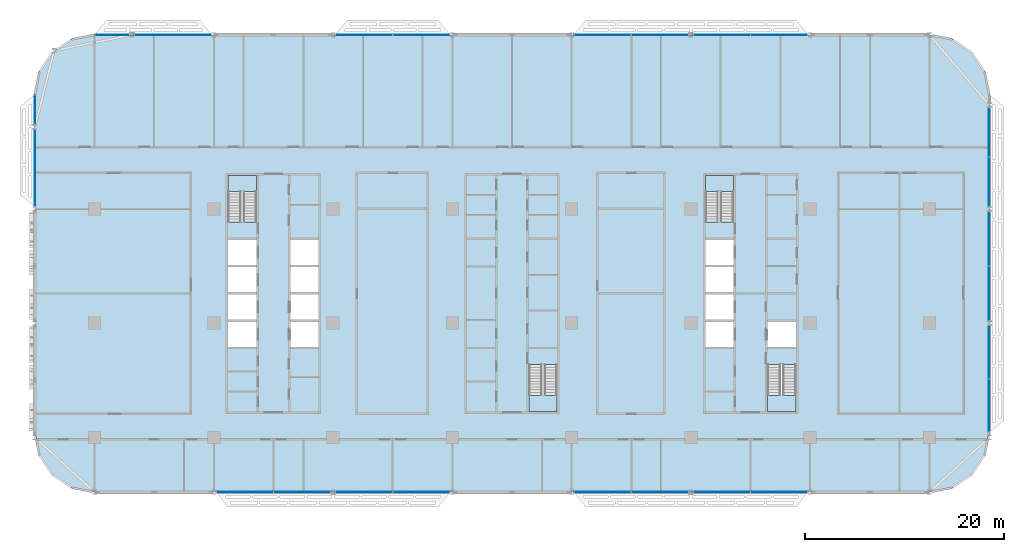
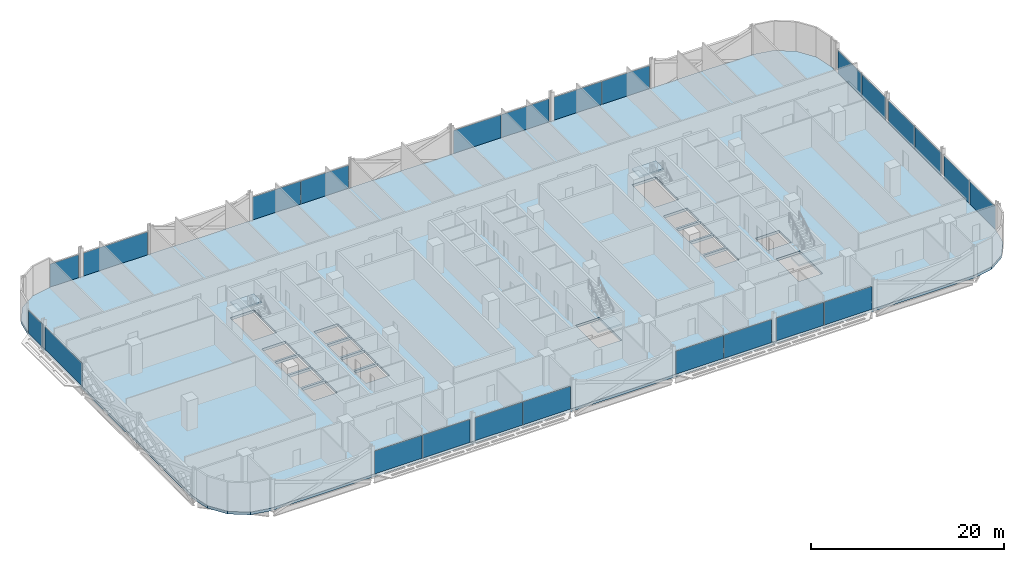
# One storey, part 11 of 29: 24 plates, 5 slabs, 18 elements without a shape of their own.
"""IFC4 building model written with IfcOpenShell, lengths in metres."""

import ifcopenshell
import ifcopenshell.guid

model = None  # the IFC model being written
_history = None  # IfcOwnerHistory: only IFC2X3 demands one
_inside = {}  # id of a spatial element -> (the spatial element, [elements in it])
_under = {}  # id of a project, library or spatial element -> (it, [spatial elements below it])
_declared = {}  # id of a project -> (the project, [libraries it declares])
_typed = {}  # id of a type object -> (the type object, [elements of that type])
_made_of = {}  # id of a material, layer set ... -> (it, [elements and type objects made of it])


def new_model(schema):
    """Start an empty IFC model of exactly this schema.

    Asked for "IFC4X3", IfcOpenShell would pick the latest addendum, in which some entities
    have other attributes; the version numbers below select the first issue.
    IFC2X3 requires an IfcOwnerHistory on every rooted entity: one is made here for all.
    """
    global model, _history
    if schema == "IFC4X3":
        model = ifcopenshell.file(schema_version=(4, 3, 0, 0))
    else:
        model = ifcopenshell.file(schema=schema)
    _inside.clear()
    _under.clear()
    _declared.clear()
    _typed.clear()
    _made_of.clear()
    _history = None
    if model.schema == "IFC2X3":
        org = make("IfcOrganization", Name="unknown")
        user = make(
            "IfcPersonAndOrganization",
            ThePerson=make("IfcPerson", FamilyName="unknown"),
            TheOrganization=org,
        )
        app = make(
            "IfcApplication",
            ApplicationDeveloper=org,
            Version="unknown",
            ApplicationFullName="unknown",
            ApplicationIdentifier="unknown",
        )
        _history = make(
            "IfcOwnerHistory",
            OwningUser=user,
            OwningApplication=app,
            ChangeAction="ADDED",
            CreationDate=0,
        )
    return model


def make(cls, **values):
    """One entity of the class cls with the attributes given. An attribute that is None is left unset."""
    return model.create_entity(
        cls, **{name: value for name, value in values.items() if value is not None}
    )


def rooted(cls, **values):
    """An entity with a GlobalId (a new one), such as an element, a storey or a relation."""
    return make(cls, GlobalId=ifcopenshell.guid.new(), OwnerHistory=_history, **values)


def si_unit(unit_type, name, prefix=None):
    """IfcSIUnit, for example si_unit("LENGTHUNIT", "METRE", prefix="MILLI")."""
    return make("IfcSIUnit", UnitType=unit_type, Prefix=prefix, Name=name)


def assignment(units):
    """IfcUnitAssignment: the units of a project."""
    return None if units is None else make("IfcUnitAssignment", Units=units)


def point(xyz):
    """IfcCartesianPoint."""
    return None if xyz is None else make("IfcCartesianPoint", Coordinates=xyz)


def direction(xyz):
    """IfcDirection."""
    return None if xyz is None else make("IfcDirection", DirectionRatios=xyz)


def frame(location, z_axis=None, x_axis=None):
    """IfcAxis2Placement3D, a coordinate frame: its origin and axes. An axis left out is left unset."""
    return make(
        "IfcAxis2Placement3D",
        Location=point(location),
        Axis=direction(z_axis),
        RefDirection=direction(x_axis),
    )


def frame_2d(location, x_axis=None):
    """IfcAxis2Placement2D, a coordinate frame in the plane: its origin and x axis."""
    return make(
        "IfcAxis2Placement2D", Location=point(location), RefDirection=direction(x_axis)
    )


def origin():
    """The frame at (0, 0, 0) with its axes left unset."""
    return frame((0.0, 0.0, 0.0))


def origin_2d():
    """The frame at (0, 0) in the plane with its x axis left unset."""
    return frame_2d((0.0, 0.0))


def place(relative_to, where):
    """IfcLocalPlacement: puts the frame where relative to a parent placement (None: the world)."""
    return make(
        "IfcLocalPlacement", PlacementRelTo=relative_to, RelativePlacement=where
    )


def context(
    kind, dimensions, precision=None, world=None, true_north=None, identifier=None
):
    """IfcGeometricRepresentationContext, for example the 3D "Model" context."""
    return make(
        "IfcGeometricRepresentationContext",
        ContextIdentifier=identifier,
        ContextType=kind,
        CoordinateSpaceDimension=dimensions,
        Precision=precision,
        WorldCoordinateSystem=world,
        TrueNorth=true_north,
    )


def subcontext(parent, identifier, kind, view, scale=None):
    """IfcGeometricRepresentationSubContext, for example "Body" below "Model"."""
    return make(
        "IfcGeometricRepresentationSubContext",
        ContextIdentifier=identifier,
        ContextType=kind,
        ParentContext=parent,
        TargetScale=scale,
        TargetView=view,
    )


def project(units=None, contexts=None):
    """IfcProject with its units and contexts."""
    return rooted(
        "IfcProject",
        Name="project",
        RepresentationContexts=contexts,
        UnitsInContext=assignment(units),
    )


def spatial(cls, under=None, at=None, **own):
    """A site, building, storey or space (cls), placed at a placement, below another one or the project."""
    s = rooted(cls, ObjectPlacement=at, **own)
    if under is not None:
        _under.setdefault(under.id(), (under, []))[1].append(s)
    return s


def polyline(points):
    """IfcPolyline through the points."""
    return make("IfcPolyline", Points=[point(p) for p in points])


def profile(cls, at=None, kind="AREA", **sizes):
    """A parametric profile (cls). Its sizes go by their IFC names, for example OverallWidth=200.0."""
    return make(cls, ProfileType=kind, Position=at, **sizes)


def rectangle(**sizes):
    """IfcRectangleProfileDef."""
    return profile("IfcRectangleProfileDef", **sizes)


def outline(outer, holes=None, kind="AREA"):
    """IfcArbitraryClosedProfileDef: a profile drawn as a closed curve; with holes, ...WithVoids."""
    if holes is None:
        return make("IfcArbitraryClosedProfileDef", ProfileType=kind, OuterCurve=outer)
    return make(
        "IfcArbitraryProfileDefWithVoids",
        ProfileType=kind,
        OuterCurve=outer,
        InnerCurves=holes,
    )


def extrude(swept, where, along, depth):
    """IfcExtrudedAreaSolid: the profile swept, set in the frame where, extruded along a direction by depth."""
    return make(
        "IfcExtrudedAreaSolid",
        SweptArea=swept,
        Position=where,
        ExtrudedDirection=direction(along),
        Depth=depth,
    )


def shape(context_of_items, identifier, shape_type, items):
    """IfcShapeRepresentation: the items that make up one representation, for example the "Body"."""
    return make(
        "IfcShapeRepresentation",
        ContextOfItems=context_of_items,
        RepresentationIdentifier=identifier,
        RepresentationType=shape_type,
        Items=items,
    )


def material(Name=None, Category=None):
    """IfcMaterial."""
    return make("IfcMaterial", Name=Name, Category=Category)


def layer(
    of_material, thickness, ventilated=None, Name=None, Category=None, Priority=None
):
    """IfcMaterialLayer: one layer of a wall or slab, of a material (None: an air gap)."""
    return make(
        "IfcMaterialLayer",
        Material=of_material,
        LayerThickness=thickness,
        IsVentilated=ventilated,
        Name=Name,
        Category=Category,
        Priority=Priority,
    )


def layer_set(layers, Name=None):
    """IfcMaterialLayerSet."""
    return make("IfcMaterialLayerSet", MaterialLayers=layers, LayerSetName=Name)


def made_of(thing, what):
    """Note that an element or type object is made of a material, layer set ...; save() writes the relation."""
    if what is not None:
        _made_of.setdefault(what.id(), (what, []))[1].append(thing)
    return thing


def type_object(cls, material=None, **own):
    """A type object (cls), such as IfcWallType, which elements share."""
    return made_of(rooted(cls, **own), material)


def element(
    cls,
    number,
    at=None,
    inside=None,
    cuts=None,
    type_object=None,
    material=None,
    context=None,
    identifier="Body",
    shape_type=None,
    held_by="IfcProductDefinitionShape",
    body=None,
    shapes=None,
    **own,
):
    """One element of the class cls, such as IfcWall. Its Tag is "e" and its number.

    at: its placement. inside: the storey or other place that contains it. cuts: it is an
    opening in that element (IfcRelVoidsElement). A single representation is given by context,
    identifier, shape_type and body (its items); several are given by shapes. held_by: the class
    of the entity that holds the representations. save() writes the other relations.
    """
    e = rooted(cls, Tag="e%d" % number, ObjectPlacement=at, **own)
    if body is not None:
        shapes = [shape(context, identifier, shape_type, body)]
    if shapes is not None:
        e.Representation = make(held_by, Representations=shapes)
    if inside is not None:
        _inside.setdefault(inside.id(), (inside, []))[1].append(e)
    if cuts is not None:
        rooted(
            "IfcRelVoidsElement", RelatingBuildingElement=cuts, RelatedOpeningElement=e
        )
    if type_object is not None:
        _typed.setdefault(type_object.id(), (type_object, []))[1].append(e)
    return made_of(e, material)


def aggregate(whole, parts):
    """IfcRelAggregates: a whole, such as a stair, and the parts it consists of."""
    return rooted("IfcRelAggregates", RelatingObject=whole, RelatedObjects=parts)


def save(model, path):
    """Write the relations noted so far, then the file.

    IfcRelAggregates (storeys below a building ...), IfcRelContainedInSpatialStructure (elements
    in a storey), IfcRelDefinesByType, IfcRelAssociatesMaterial and IfcRelDeclares: one each for
    every whole, place, type object, material and project.
    """
    for whole, parts in _under.values():
        aggregate(whole, parts)
    for where, things in _inside.values():
        rooted(
            "IfcRelContainedInSpatialStructure",
            RelatedElements=things,
            RelatingStructure=where,
        )
    for kind, things in _typed.values():
        rooted("IfcRelDefinesByType", RelatedObjects=things, RelatingType=kind)
    for what, things in _made_of.values():
        rooted("IfcRelAssociatesMaterial", RelatedObjects=things, RelatingMaterial=what)
    for by, libraries in _declared.values():
        rooted("IfcRelDeclares", RelatingContext=by, RelatedDefinitions=libraries)
    model.write(path)


model = new_model("IFC4")

# Units and contexts
model_context = context("Model", 3, precision=1e-05, world=origin(), true_north=direction((0.0, 1.0)))
body_context = subcontext(model_context, "Body", "Model", "MODEL_VIEW")
ifc_project = project(units=[si_unit("LENGTHUNIT", "METRE"), si_unit("AREAUNIT", "SQUARE_METRE"), si_unit("VOLUMEUNIT", "CUBIC_METRE"), si_unit("PLANEANGLEUNIT", "RADIAN"), si_unit("MASSUNIT", "GRAM", prefix="KILO")], contexts=[model_context])

# Site, building, storey
site_placement = place(None, origin())
site = spatial("IfcSite", under=ifc_project, at=site_placement, CompositionType="ELEMENT")
building_placement = place(site_placement, origin())
building = spatial("IfcBuilding", under=site, at=building_placement, Name="Mahtab Terrace Research Tower", CompositionType="ELEMENT")
storey_placement = place(building_placement, frame((0.0, 0.0, 142.5)))
storey = spatial("IfcBuildingStorey", under=building, at=storey_placement, Name="L33", CompositionType="ELEMENT", Elevation=142.5)

# Stair, slab
ifc_material_1 = material(Name="Exit stair half-turn")
stair_type = type_object("IfcStairType", Name="Exit stair half-turn", PredefinedType="HALF_TURN_STAIR", material=ifc_material_1)
stair_1_placement = place(storey_placement, origin())
stair_1 = element("IfcStair", 1, at=stair_1_placement, inside=storey, type_object=stair_type, Name="L33 Protected exit stair ST1", PredefinedType="HALF_TURN_STAIR")
ifc_material_2 = material(Name="Concrete C40/50", Category="concrete")
ifc_layer_1 = layer(ifc_material_2, 0.199951171875)
ifc_layer_set_1 = layer_set([ifc_layer_1], Name="Exit stair landing 200")
slab_type_1 = type_object("IfcSlabType", Name="Exit stair landing 200", PredefinedType="LANDING", material=ifc_layer_set_1)
slab_1_placement = place(storey_placement, frame((0.0, 0.0, 1.85009765625)))
slab_1 = element("IfcSlab", 2, at=slab_1_placement, type_object=slab_type_1, Name="ST1 landing 1", PredefinedType="LANDING", context=body_context, shape_type="SweptSolid", body=[
    extrude(outline(polyline([(-25.699951171875, 13.2548828125), (-25.699951171875, 14.875), (-28.550048828125, 14.875), (-28.550048828125, 13.2548828125), (-25.699951171875, 13.2548828125)])), origin(), (0.0, 0.0, 1.0), 0.199951171875),
])
aggregate(stair_1, [slab_1])

stair_2_placement = place(storey_placement, origin())
stair_2 = element("IfcStair", 3, at=stair_2_placement, inside=storey, type_object=stair_type, Name="L33 Protected exit stair ST2", PredefinedType="HALF_TURN_STAIR")
slab_2_placement = place(storey_placement, frame((0.0, 0.0, 1.85009765625)))
slab_2 = element("IfcSlab", 4, at=slab_2_placement, type_object=slab_type_1, Name="ST2 landing 1", PredefinedType="LANDING", context=body_context, shape_type="SweptSolid", body=[
    extrude(outline(polyline([(1.699951171875, -7.2548828125), (1.699951171875, -8.875), (4.550048828125, -8.875), (4.550048828125, -7.2548828125), (1.699951171875, -7.2548828125)])), origin(), (0.0, 0.0, 1.0), 0.199951171875),
])
aggregate(stair_2, [slab_2])

stair_3_placement = place(storey_placement, origin())
stair_3 = element("IfcStair", 5, at=stair_3_placement, inside=storey, type_object=stair_type, Name="L33 Protected exit stair ST3", PredefinedType="HALF_TURN_STAIR")
slab_3_placement = place(storey_placement, frame((0.0, 0.0, 1.85009765625)))
slab_3 = element("IfcSlab", 6, at=slab_3_placement, type_object=slab_type_1, Name="ST3 landing 1", PredefinedType="LANDING", context=body_context, shape_type="SweptSolid", body=[
    extrude(outline(polyline([(22.300048828125, 13.2548828125), (22.300048828125, 14.875), (19.449951171875, 14.875), (19.449951171875, 13.2548828125), (22.300048828125, 13.2548828125)])), origin(), (0.0, 0.0, 1.0), 0.199951171875),
])
aggregate(stair_3, [slab_3])

stair_4_placement = place(storey_placement, origin())
stair_4 = element("IfcStair", 7, at=stair_4_placement, inside=storey, type_object=stair_type, Name="L33 Protected exit stair ST4", PredefinedType="HALF_TURN_STAIR")
slab_4_placement = place(storey_placement, frame((0.0, 0.0, 1.85009765625)))
slab_4 = element("IfcSlab", 8, at=slab_4_placement, type_object=slab_type_1, Name="ST4 landing 1", PredefinedType="LANDING", context=body_context, shape_type="SweptSolid", body=[
    extrude(outline(polyline([(25.699951171875, -7.2548828125), (25.699951171875, -8.875), (28.550048828125, -8.875), (28.550048828125, -7.2548828125), (25.699951171875, -7.2548828125)])), origin(), (0.0, 0.0, 1.0), 0.199951171875),
])
aggregate(stair_4, [slab_4])

# Curtain wall, plates
ifc_material_3 = material(Name="Laboratory ribbon curtain wall")
curtain_wall_type = type_object("IfcCurtainWallType", Name="Laboratory ribbon curtain wall", PredefinedType="NOTDEFINED", material=ifc_material_3)
curtain_wall_1_placement = place(storey_placement, origin())
curtain_wall_1 = element("IfcCurtainWall", 9, at=curtain_wall_1_placement, inside=storey, type_object=curtain_wall_type, Name="EN.L33.3.4", PredefinedType="NOTDEFINED")
ifc_material_4 = material(Name="Dark glazing", Category="glass")
ifc_layer_2 = layer(ifc_material_4, 0.031982421875)
ifc_layer_set_2 = layer_set([ifc_layer_2], Name="Laboratory ribbon curtain wall glazing panel")
plate_type = type_object("IfcPlateType", Name="Laboratory ribbon curtain wall glazing panel", PredefinedType="CURTAIN_PANEL", material=ifc_layer_set_2)
plate_1_placement = place(storey_placement, frame((26.874755859375, 29.0, 0.0), z_axis=(0.0, 0.0, 1.0), x_axis=(-1.0, 0.0, 0.0)))
plate_1 = element("IfcPlate", 10, at=plate_1_placement, type_object=plate_type, Name="CWL-4 panel 1", PredefinedType="CURTAIN_PANEL", context=body_context, shape_type="SweptSolid", body=[
    extrude(rectangle(XDim=5.6845703125, YDim=0.031982421875, at=origin_2d()), origin(), (0.0, 0.0, 1.0), 2.903076171875),
])
plate_2_placement = place(storey_placement, frame((21.125244140625, 29.0, 0.0), z_axis=(0.0, 0.0, 1.0), x_axis=(-1.0, 0.0, 0.0)))
plate_2 = element("IfcPlate", 11, at=plate_2_placement, type_object=plate_type, Name="CWL-4 panel 2", PredefinedType="CURTAIN_PANEL", context=body_context, shape_type="SweptSolid", body=[
    extrude(rectangle(XDim=5.6845703125, YDim=0.031982421875, at=origin_2d()), origin(), (0.0, 0.0, 1.0), 2.903076171875),
])
aggregate(curtain_wall_1, [plate_1, plate_2])

curtain_wall_2_placement = place(storey_placement, origin())
curtain_wall_2 = element("IfcCurtainWall", 12, at=curtain_wall_2_placement, inside=storey, type_object=curtain_wall_type, Name="EN.L33.3.5", PredefinedType="NOTDEFINED")
plate_3_placement = place(storey_placement, frame((14.874755859375, 29.0, 0.0), z_axis=(0.0, 0.0, 1.0), x_axis=(-1.0, 0.0, 0.0)))
plate_3 = element("IfcPlate", 13, at=plate_3_placement, type_object=plate_type, Name="CWL-4 panel 1", PredefinedType="CURTAIN_PANEL", context=body_context, shape_type="SweptSolid", body=[
    extrude(rectangle(XDim=5.6845703125, YDim=0.031982421875, at=origin_2d()), origin(), (0.0, 0.0, 1.0), 2.903076171875),
])
plate_4_placement = place(storey_placement, frame((9.125244140625, 29.0, 0.0), z_axis=(0.0, 0.0, 1.0), x_axis=(-1.0, 0.0, 0.0)))
plate_4 = element("IfcPlate", 14, at=plate_4_placement, type_object=plate_type, Name="CWL-4 panel 2", PredefinedType="CURTAIN_PANEL", context=body_context, shape_type="SweptSolid", body=[
    extrude(rectangle(XDim=5.6845703125, YDim=0.031982421875, at=origin_2d()), origin(), (0.0, 0.0, 1.0), 2.903076171875),
])
aggregate(curtain_wall_2, [plate_3, plate_4])

curtain_wall_3_placement = place(storey_placement, origin())
curtain_wall_3 = element("IfcCurtainWall", 15, at=curtain_wall_3_placement, inside=storey, type_object=curtain_wall_type, Name="EN.L33.3.7", PredefinedType="NOTDEFINED")
plate_5_placement = place(storey_placement, frame((-9.125244140625, 29.0, 0.0), z_axis=(0.0, 0.0, 1.0), x_axis=(-1.0, 0.0, 0.0)))
plate_5 = element("IfcPlate", 16, at=plate_5_placement, type_object=plate_type, Name="CWL-4 panel 1", PredefinedType="CURTAIN_PANEL", context=body_context, shape_type="SweptSolid", body=[
    extrude(rectangle(XDim=5.6845703125, YDim=0.031982421875, at=origin_2d()), origin(), (0.0, 0.0, 1.0), 2.903076171875),
])
plate_6_placement = place(storey_placement, frame((-14.874755859375, 29.0, 0.0), z_axis=(0.0, 0.0, 1.0), x_axis=(-1.0, 0.0, 0.0)))
plate_6 = element("IfcPlate", 17, at=plate_6_placement, type_object=plate_type, Name="CWL-4 panel 2", PredefinedType="CURTAIN_PANEL", context=body_context, shape_type="SweptSolid", body=[
    extrude(rectangle(XDim=5.6845703125, YDim=0.031982421875, at=origin_2d()), origin(), (0.0, 0.0, 1.0), 2.903076171875),
])
aggregate(curtain_wall_3, [plate_5, plate_6])

# Curtain wall, plate
curtain_wall_4_placement = place(storey_placement, origin())
curtain_wall_4 = element("IfcCurtainWall", 18, at=curtain_wall_4_placement, inside=storey, type_object=curtain_wall_type, Name="EN.L33.3.9", PredefinedType="NOTDEFINED")
plate_7_placement = place(storey_placement, frame((-34.115478515625, 29.0, 0.0), z_axis=(0.0, 0.0, 1.0), x_axis=(-1.0, 0.0, 0.0)))
plate_7 = element("IfcPlate", 19, at=plate_7_placement, type_object=plate_type, Name="CWL-4 panel 1", PredefinedType="CURTAIN_PANEL", context=body_context, shape_type="SweptSolid", body=[
    extrude(rectangle(XDim=7.6650390625, YDim=0.031982421875, at=origin_2d()), origin(), (0.0, 0.0, 1.0), 2.903076171875),
])
aggregate(curtain_wall_4, [plate_7])

curtain_wall_5_placement = place(storey_placement, origin())
curtain_wall_5 = element("IfcCurtainWall", 20, at=curtain_wall_5_placement, inside=storey, type_object=curtain_wall_type, Name="EN.L33.3.10", PredefinedType="NOTDEFINED")
plate_8_placement = place(storey_placement, frame((-40.224609375, 29.0, 0.0), z_axis=(0.0, 0.0, 1.0), x_axis=(-1.0, 0.0, 0.0)))
plate_8 = element("IfcPlate", 21, at=plate_8_placement, type_object=plate_type, Name="CWL-4 panel 1", PredefinedType="CURTAIN_PANEL", context=body_context, shape_type="SweptSolid", body=[
    extrude(rectangle(XDim=3.4208984375, YDim=0.031982421875, at=origin_2d()), origin(), (0.0, 0.0, 1.0), 2.903076171875),
])
aggregate(curtain_wall_5, [plate_8])

curtain_wall_6_placement = place(storey_placement, origin())
curtain_wall_6 = element("IfcCurtainWall", 22, at=curtain_wall_6_placement, inside=storey, type_object=curtain_wall_type, Name="EN.L33.8.15", PredefinedType="NOTDEFINED")
plate_9_placement = place(storey_placement, frame((-48.0, 21.474609375, 0.0), z_axis=(0.0, 0.0, 1.0), x_axis=(0.0, -1.0, 0.0)))
plate_9 = element("IfcPlate", 23, at=plate_9_placement, type_object=plate_type, Name="CWL-4 panel 1", PredefinedType="CURTAIN_PANEL", context=body_context, shape_type="SweptSolid", body=[
    extrude(rectangle(XDim=2.9208984375, YDim=0.031982421875, at=origin_2d()), origin(), (0.0, 0.0, 1.0), 2.903076171875),
])
aggregate(curtain_wall_6, [plate_9])

curtain_wall_7_placement = place(storey_placement, origin())
curtain_wall_7 = element("IfcCurtainWall", 24, at=curtain_wall_7_placement, inside=storey, type_object=curtain_wall_type, Name="EN.L33.8.16", PredefinedType="NOTDEFINED")
plate_10_placement = place(storey_placement, frame((-48.0, 15.615478515625, 0.0), z_axis=(0.0, 0.0, 1.0), x_axis=(0.0, -1.0, 0.0)))
plate_10 = element("IfcPlate", 25, at=plate_10_placement, type_object=plate_type, Name="CWL-4 panel 1", PredefinedType="CURTAIN_PANEL", context=body_context, shape_type="SweptSolid", body=[
    extrude(rectangle(XDim=7.6650390625, YDim=0.031982421875, at=origin_2d()), origin(), (0.0, 0.0, 1.0), 2.903076171875),
])
aggregate(curtain_wall_7, [plate_10])

# Curtain wall, plates
curtain_wall_8_placement = place(storey_placement, origin())
curtain_wall_8 = element("IfcCurtainWall", 26, at=curtain_wall_8_placement, inside=storey, type_object=curtain_wall_type, Name="EN.L33.13.25", PredefinedType="NOTDEFINED")
plate_11_placement = place(storey_placement, frame((-26.874755859375, -17.0, 0.0), z_axis=(0.0, 0.0, 1.0), x_axis=(1.0, 0.0, 0.0)))
plate_11 = element("IfcPlate", 27, at=plate_11_placement, type_object=plate_type, Name="CWL-4 panel 1", PredefinedType="CURTAIN_PANEL", context=body_context, shape_type="SweptSolid", body=[
    extrude(rectangle(XDim=5.6845703125, YDim=0.031982421875, at=origin_2d()), origin(), (0.0, 0.0, 1.0), 2.903076171875),
])
plate_12_placement = place(storey_placement, frame((-21.125244140625, -17.0, 0.0), z_axis=(0.0, 0.0, 1.0), x_axis=(1.0, 0.0, 0.0)))
plate_12 = element("IfcPlate", 28, at=plate_12_placement, type_object=plate_type, Name="CWL-4 panel 2", PredefinedType="CURTAIN_PANEL", context=body_context, shape_type="SweptSolid", body=[
    extrude(rectangle(XDim=5.6845703125, YDim=0.031982421875, at=origin_2d()), origin(), (0.0, 0.0, 1.0), 2.903076171875),
])
aggregate(curtain_wall_8, [plate_11, plate_12])

curtain_wall_9_placement = place(storey_placement, origin())
curtain_wall_9 = element("IfcCurtainWall", 29, at=curtain_wall_9_placement, inside=storey, type_object=curtain_wall_type, Name="EN.L33.13.26", PredefinedType="NOTDEFINED")
plate_13_placement = place(storey_placement, frame((-14.874755859375, -17.0, 0.0), z_axis=(0.0, 0.0, 1.0), x_axis=(1.0, 0.0, 0.0)))
plate_13 = element("IfcPlate", 30, at=plate_13_placement, type_object=plate_type, Name="CWL-4 panel 1", PredefinedType="CURTAIN_PANEL", context=body_context, shape_type="SweptSolid", body=[
    extrude(rectangle(XDim=5.6845703125, YDim=0.031982421875, at=origin_2d()), origin(), (0.0, 0.0, 1.0), 2.903076171875),
])
plate_14_placement = place(storey_placement, frame((-9.125244140625, -17.0, 0.0), z_axis=(0.0, 0.0, 1.0), x_axis=(1.0, 0.0, 0.0)))
plate_14 = element("IfcPlate", 31, at=plate_14_placement, type_object=plate_type, Name="CWL-4 panel 2", PredefinedType="CURTAIN_PANEL", context=body_context, shape_type="SweptSolid", body=[
    extrude(rectangle(XDim=5.6845703125, YDim=0.031982421875, at=origin_2d()), origin(), (0.0, 0.0, 1.0), 2.903076171875),
])
aggregate(curtain_wall_9, [plate_13, plate_14])

curtain_wall_10_placement = place(storey_placement, origin())
curtain_wall_10 = element("IfcCurtainWall", 32, at=curtain_wall_10_placement, inside=storey, type_object=curtain_wall_type, Name="EN.L33.13.28", PredefinedType="NOTDEFINED")
plate_15_placement = place(storey_placement, frame((9.125244140625, -17.0, 0.0), z_axis=(0.0, 0.0, 1.0), x_axis=(1.0, 0.0, 0.0)))
plate_15 = element("IfcPlate", 33, at=plate_15_placement, type_object=plate_type, Name="CWL-4 panel 1", PredefinedType="CURTAIN_PANEL", context=body_context, shape_type="SweptSolid", body=[
    extrude(rectangle(XDim=5.6845703125, YDim=0.031982421875, at=origin_2d()), origin(), (0.0, 0.0, 1.0), 2.903076171875),
])
plate_16_placement = place(storey_placement, frame((14.874755859375, -17.0, 0.0), z_axis=(0.0, 0.0, 1.0), x_axis=(1.0, 0.0, 0.0)))
plate_16 = element("IfcPlate", 34, at=plate_16_placement, type_object=plate_type, Name="CWL-4 panel 2", PredefinedType="CURTAIN_PANEL", context=body_context, shape_type="SweptSolid", body=[
    extrude(rectangle(XDim=5.6845703125, YDim=0.031982421875, at=origin_2d()), origin(), (0.0, 0.0, 1.0), 2.903076171875),
])
aggregate(curtain_wall_10, [plate_15, plate_16])

curtain_wall_11_placement = place(storey_placement, origin())
curtain_wall_11 = element("IfcCurtainWall", 35, at=curtain_wall_11_placement, inside=storey, type_object=curtain_wall_type, Name="EN.L33.13.29", PredefinedType="NOTDEFINED")
plate_17_placement = place(storey_placement, frame((21.125244140625, -17.0, 0.0), z_axis=(0.0, 0.0, 1.0), x_axis=(1.0, 0.0, 0.0)))
plate_17 = element("IfcPlate", 36, at=plate_17_placement, type_object=plate_type, Name="CWL-4 panel 1", PredefinedType="CURTAIN_PANEL", context=body_context, shape_type="SweptSolid", body=[
    extrude(rectangle(XDim=5.6845703125, YDim=0.031982421875, at=origin_2d()), origin(), (0.0, 0.0, 1.0), 2.903076171875),
])
plate_18_placement = place(storey_placement, frame((26.874755859375, -17.0, 0.0), z_axis=(0.0, 0.0, 1.0), x_axis=(1.0, 0.0, 0.0)))
plate_18 = element("IfcPlate", 37, at=plate_18_placement, type_object=plate_type, Name="CWL-4 panel 2", PredefinedType="CURTAIN_PANEL", context=body_context, shape_type="SweptSolid", body=[
    extrude(rectangle(XDim=5.6845703125, YDim=0.031982421875, at=origin_2d()), origin(), (0.0, 0.0, 1.0), 2.903076171875),
])
aggregate(curtain_wall_11, [plate_17, plate_18])

curtain_wall_12_placement = place(storey_placement, origin())
curtain_wall_12 = element("IfcCurtainWall", 38, at=curtain_wall_12_placement, inside=storey, type_object=curtain_wall_type, Name="EN.L33.18.36", PredefinedType="NOTDEFINED")
plate_19_placement = place(storey_placement, frame((48.0, -8.288330078125, 0.0), z_axis=(0.0, 0.0, 1.0), x_axis=(0.0, 1.0, 0.0)))
plate_19 = element("IfcPlate", 39, at=plate_19_placement, type_object=plate_type, Name="CWL-4 panel 1", PredefinedType="CURTAIN_PANEL", context=body_context, shape_type="SweptSolid", body=[
    extrude(rectangle(XDim=5.29345703125, YDim=0.031982421875, at=origin_2d()), origin(), (0.0, 0.0, 1.0), 2.903076171875),
])
plate_20_placement = place(storey_placement, frame((48.0, -2.9296875, 0.0), z_axis=(0.0, 0.0, 1.0), x_axis=(0.0, 1.0, 0.0)))
plate_20 = element("IfcPlate", 40, at=plate_20_placement, type_object=plate_type, Name="CWL-4 panel 2", PredefinedType="CURTAIN_PANEL", context=body_context, shape_type="SweptSolid", body=[
    extrude(rectangle(XDim=5.29345703125, YDim=0.031982421875, at=origin_2d()), origin(), (0.0, 0.0, 1.0), 2.903076171875),
])
aggregate(curtain_wall_12, [plate_19, plate_20])

curtain_wall_13_placement = place(storey_placement, origin())
curtain_wall_13 = element("IfcCurtainWall", 41, at=curtain_wall_13_placement, inside=storey, type_object=curtain_wall_type, Name="EN.L33.18.37", PredefinedType="NOTDEFINED")
plate_21_placement = place(storey_placement, frame((48.0, 3.000244140625, 0.0), z_axis=(0.0, 0.0, 1.0), x_axis=(0.0, 1.0, 0.0)))
plate_21 = element("IfcPlate", 42, at=plate_21_placement, type_object=plate_type, Name="CWL-4 panel 1", PredefinedType="CURTAIN_PANEL", context=body_context, shape_type="SweptSolid", body=[
    extrude(rectangle(XDim=5.4345703125, YDim=0.031982421875, at=origin_2d()), origin(), (0.0, 0.0, 1.0), 2.903076171875),
])
plate_22_placement = place(storey_placement, frame((48.0, 8.499755859375, 0.0), z_axis=(0.0, 0.0, 1.0), x_axis=(0.0, 1.0, 0.0)))
plate_22 = element("IfcPlate", 43, at=plate_22_placement, type_object=plate_type, Name="CWL-4 panel 2", PredefinedType="CURTAIN_PANEL", context=body_context, shape_type="SweptSolid", body=[
    extrude(rectangle(XDim=5.4345703125, YDim=0.031982421875, at=origin_2d()), origin(), (0.0, 0.0, 1.0), 2.903076171875),
])
aggregate(curtain_wall_13, [plate_21, plate_22])

curtain_wall_14_placement = place(storey_placement, origin())
curtain_wall_14 = element("IfcCurtainWall", 44, at=curtain_wall_14_placement, inside=storey, type_object=curtain_wall_type, Name="EN.L33.18.38", PredefinedType="NOTDEFINED")
plate_23_placement = place(storey_placement, frame((48.0, 14.24072265625, 0.0), z_axis=(0.0, 0.0, 1.0), x_axis=(0.0, 1.0, 0.0)))
plate_23 = element("IfcPlate", 45, at=plate_23_placement, type_object=plate_type, Name="CWL-4 panel 1", PredefinedType="CURTAIN_PANEL", context=body_context, shape_type="SweptSolid", body=[
    extrude(rectangle(XDim=4.91552734375, YDim=0.031982421875, at=origin_2d()), origin(), (0.0, 0.0, 1.0), 2.903076171875),
])
plate_24_placement = place(storey_placement, frame((48.0, 19.22119140625, 0.0), z_axis=(0.0, 0.0, 1.0), x_axis=(0.0, 1.0, 0.0)))
plate_24 = element("IfcPlate", 46, at=plate_24_placement, type_object=plate_type, Name="CWL-4 panel 2", PredefinedType="CURTAIN_PANEL", context=body_context, shape_type="SweptSolid", body=[
    extrude(rectangle(XDim=4.91552734375, YDim=0.031982421875, at=origin_2d()), origin(), (0.0, 0.0, 1.0), 2.903076171875),
])
aggregate(curtain_wall_14, [plate_23, plate_24])

# Slab
ifc_layer_3 = layer(ifc_material_2, 0.340087890625)
ifc_layer_set_3 = layer_set([ifc_layer_3], Name="PT flat slab 340")
slab_type_2 = type_object("IfcSlabType", Name="PT flat slab 340", PredefinedType="FLOOR", material=ifc_layer_set_3)
slab_5_placement = place(storey_placement, frame((0.0, 0.0, -0.340087890625)))
element("IfcSlab", 47, at=slab_5_placement, inside=storey, type_object=slab_type_2, Name="Floor slab L33", PredefinedType="FLOOR", context=body_context, shape_type="SweptSolid", body=[
    extrude(outline(polyline([(47.54296875, 25.2958984375), (46.242919921875, 27.242919921875), (44.2958984375, 28.54296875), (42.0, 29.0), (-42.0, 29.0), (-44.2958984375, 28.54296875), (-46.242919921875, 27.242919921875), (-47.54296875, 25.2958984375), (-48.0, 23.0), (-48.0, -11.0), (-47.54296875, -13.2958984375), (-46.242919921875, -15.242919921875), (-44.2958984375, -16.54296875), (-42.0, -17.0), (42.0, -17.0), (44.2958984375, -16.54296875), (46.242919921875, -15.242919921875), (47.54296875, -13.2958984375), (48.0, -11.0), (48.0, 23.0), (47.54296875, 25.2958984375)]), holes=[polyline([(-28.550048828125, -2.375), (-28.550048828125, 0.125), (-25.699951171875, 0.125), (-25.699951171875, -2.375), (-28.550048828125, -2.375)]), polyline([(-22.300048828125, -2.375), (-22.300048828125, 0.125), (-19.449951171875, 0.125), (-19.449951171875, -2.375), (-22.300048828125, -2.375)]), polyline([(-28.550048828125, 0.375), (-28.550048828125, 2.875), (-25.699951171875, 2.875), (-25.699951171875, 0.375), (-28.550048828125, 0.375)]), polyline([(-22.300048828125, 0.375), (-22.300048828125, 2.875), (-19.449951171875, 2.875), (-19.449951171875, 0.375), (-22.300048828125, 0.375)]), polyline([(-28.550048828125, 3.125), (-28.550048828125, 5.625), (-25.699951171875, 5.625), (-25.699951171875, 3.125), (-28.550048828125, 3.125)]), polyline([(-22.300048828125, 3.125), (-22.300048828125, 5.625), (-19.449951171875, 5.625), (-19.449951171875, 3.125), (-22.300048828125, 3.125)]), polyline([(-28.550048828125, 5.875), (-28.550048828125, 8.375), (-25.699951171875, 8.375), (-25.699951171875, 5.875), (-28.550048828125, 5.875)]), polyline([(-22.300048828125, 5.875), (-22.300048828125, 8.375), (-19.449951171875, 8.375), (-19.449951171875, 5.875), (-22.300048828125, 5.875)]), polyline([(-28.550048828125, 10.177001953125), (-28.550048828125, 14.875), (-25.699951171875, 14.875), (-25.699951171875, 10.177001953125), (-28.550048828125, 10.177001953125)]), polyline([(1.699951171875, -8.875), (1.699951171875, -4.177001953125), (4.550048828125, -4.177001953125), (4.550048828125, -8.875), (1.699951171875, -8.875)]), polyline([(25.699951171875, -8.875), (25.699951171875, -4.177001953125), (28.550048828125, -4.177001953125), (28.550048828125, -8.875), (25.699951171875, -8.875)]), polyline([(19.449951171875, -2.375), (19.449951171875, 0.125), (22.300048828125, 0.125), (22.300048828125, -2.375), (19.449951171875, -2.375)]), polyline([(25.699951171875, -2.375), (25.699951171875, 0.125), (28.550048828125, 0.125), (28.550048828125, -2.375), (25.699951171875, -2.375)]), polyline([(19.449951171875, 0.375), (19.449951171875, 2.875), (22.300048828125, 2.875), (22.300048828125, 0.375), (19.449951171875, 0.375)]), polyline([(19.449951171875, 3.125), (19.449951171875, 5.625), (22.300048828125, 5.625), (22.300048828125, 3.125), (19.449951171875, 3.125)]), polyline([(19.449951171875, 8.375), (22.300048828125, 8.375), (22.300048828125, 5.875), (19.449951171875, 5.875), (19.449951171875, 8.375)]), polyline([(19.449951171875, 14.875), (22.300048828125, 14.875), (22.300048828125, 10.177001953125), (19.449951171875, 10.177001953125), (19.449951171875, 14.875)])]), origin(), (0.0, 0.0, 1.0), 0.340087890625),
])

save(model, "model.ifc")
